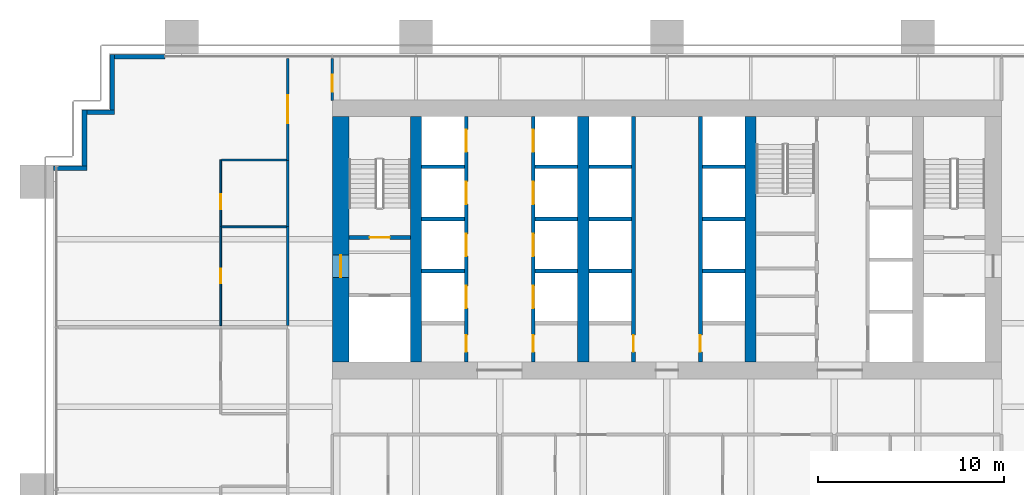
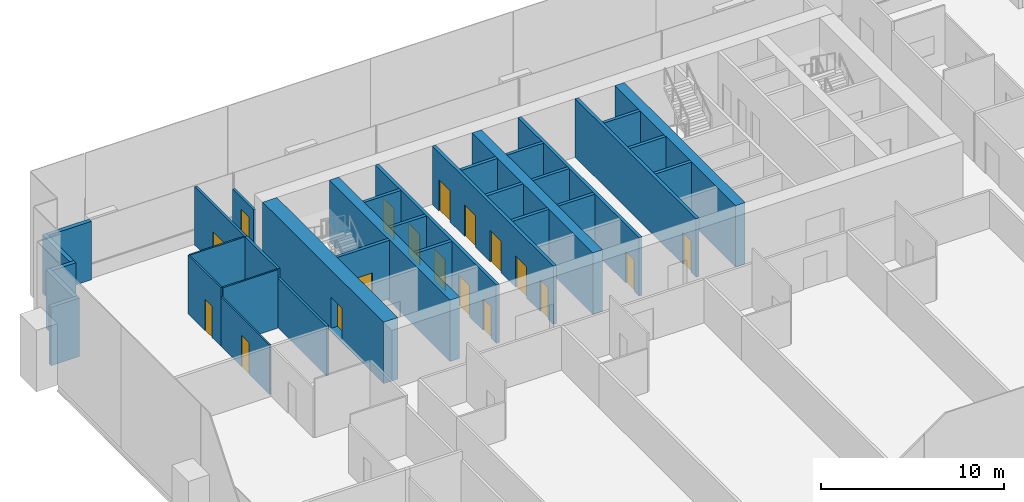
# One storey, part 13 of 18: 34 walls, 18 doors, 18 openings.
"""IFC4 building model written with IfcOpenShell, lengths in metres."""

from ifc_helpers import new_model, si_unit, direction, frame, frame_2d, origin, place, context, subcontext, project, spatial, rectangle, extrude, material, layer, layer_set, type_object, element, fill, save


model = new_model("IFC4")

# Units and contexts
model_context = context("Model", 3, precision=1e-05, world=origin(), true_north=direction((0.0, 1.0)))
body_context = subcontext(model_context, "Body", "Model", "MODEL_VIEW")
ifc_project = project(units=[si_unit("LENGTHUNIT", "METRE"), si_unit("AREAUNIT", "SQUARE_METRE"), si_unit("VOLUMEUNIT", "CUBIC_METRE"), si_unit("PLANEANGLEUNIT", "RADIAN"), si_unit("MASSUNIT", "GRAM", prefix="KILO")], contexts=[model_context])

# Site, building, storey
site_placement = place(None, origin())
site = spatial("IfcSite", under=ifc_project, at=site_placement, CompositionType="ELEMENT")
building_placement = place(site_placement, origin())
building = spatial("IfcBuilding", under=site, at=building_placement, Name="Rattan Terrace Tower", CompositionType="ELEMENT")
storey_placement = place(building_placement, frame((0.0, 0.0, 57.0)))
storey = spatial("IfcBuildingStorey", under=building, at=storey_placement, Name="L12", CompositionType="ELEMENT", Elevation=57.0)

# Wall, opening, door
ifc_material_1 = material(Name="Gypsum board partition")
ifc_layer_1 = layer(ifc_material_1, 0.199951171875)
ifc_layer_set_1 = layer_set([ifc_layer_1], Name="Core partition 200")
wall_type_1 = type_object("IfcWallType", Name="Core partition 200", PredefinedType="PARTITIONING", material=ifc_layer_set_1)
wall_1_placement = place(storey_placement, frame((-17.10009765625, 0.10009765625, 0.0), z_axis=(0.0, 0.0, 1.0), x_axis=(1.0, 0.0, 0.0)))
wall_1 = element("IfcWall", 1, at=wall_1_placement, inside=storey, type_object=wall_type_1, Name="Stair enclosure wall", PredefinedType="PARTITIONING", context=body_context, shape_type="SweptSolid", body=[
    extrude(rectangle(XDim=3.300048828125, YDim=0.199951171875, at=frame_2d((1.64990234375, 0.0))), origin(), (0.0, 0.0, 1.0), 3.89990234375),
])
opening_1_placement = place(wall_1_placement, frame((1.10009765625, 0.0, 0.0)))
opening_1 = element("IfcOpeningElement", 2, at=opening_1_placement, cuts=wall_1, Name="Opening L12-D002", PredefinedType="OPENING", context=body_context, shape_type="SweptSolid", body=[
    extrude(rectangle(XDim=1.10009765625, YDim=2.10009765625, at=frame_2d((0.550048828125, 1.050048828125))), frame((0.0, 0.110595703125, 0.0), z_axis=(0.0, -1.0, 0.0), x_axis=(1.0, 0.0, 0.0)), (0.0, 0.0, 1.0), 0.220947265625),
])
ifc_material_2 = material(Name="Hollow-metal fire door leaf")
door_type_1 = type_object("IfcDoorType", Name="Core stair door 1100", OperationType="NOTDEFINED", PredefinedType="DOOR", material=ifc_material_2)
door_1_placement = place(opening_1_placement, origin())
door_1 = element("IfcDoor", 3, at=door_1_placement, inside=storey, type_object=door_type_1, Name="Door L12-D002", OperationType="SINGLE_SWING_RIGHT", OverallHeight=2.10009765625, OverallWidth=1.10009765625, PredefinedType="DOOR", context=body_context, shape_type="SweptSolid", body=[
    extrude(rectangle(XDim=1.10009765625, YDim=2.10009765625, at=frame_2d((0.550048828125, 1.050048828125))), frame((0.0, 0.02490234375, 0.0), z_axis=(0.0, -1.0, 0.0), x_axis=(1.0, 0.0, 0.0)), (0.0, 0.0, 1.0), 0.050048828125),
])
fill(opening_1, door_1)

ifc_material_3 = material(Name="Concrete C70/85", Category="concrete")
ifc_layer_2 = layer(ifc_material_3, 0.89990234375)
ifc_layer_set_2 = layer_set([ifc_layer_2], Name="Core ring wall 900 C70/85")
wall_type_2 = type_object("IfcWallType", Name="Core ring wall 900 C70/85", PredefinedType="SHEAR", material=ifc_layer_set_2)
wall_2_placement = place(storey_placement, frame((-17.550048828125, -6.60009765625, -0.199951171875), z_axis=(0.0, 0.0, 1.0), x_axis=(0.0, 1.0, 0.0)))
wall_2 = element("IfcWall", 4, at=wall_2_placement, inside=storey, type_object=wall_type_2, Name="Rear core wall west", PredefinedType="SHEAR", context=body_context, shape_type="SweptSolid", body=[
    extrude(rectangle(XDim=13.2001953125, YDim=0.89990234375, at=frame_2d((6.60009765625, 0.0))), origin(), (0.0, 0.0, 1.0), 4.099853515625),
])
opening_2_placement = place(wall_2_placement, frame((4.550048828125, 0.0, 0.199951171875)))
opening_2 = element("IfcOpeningElement", 5, at=opening_2_placement, cuts=wall_2, Name="Opening L12-D001", PredefinedType="OPENING", context=body_context, shape_type="SweptSolid", body=[
    extrude(rectangle(XDim=1.199951171875, YDim=2.10009765625, at=frame_2d((0.60009765625, 1.050048828125))), frame((0.0, 0.46044921875, 0.0), z_axis=(0.0, -1.0, 0.0), x_axis=(1.0, 0.0, 0.0)), (0.0, 0.0, 1.0), 0.9208984375),
])
ifc_material_4 = material(Name="Hollow-metal fire door leaf")
door_type_2 = type_object("IfcDoorType", Name="Core fire-fighting lobby door 1200", OperationType="NOTDEFINED", PredefinedType="DOOR", material=ifc_material_4)
door_2_placement = place(opening_2_placement, origin())
door_2 = element("IfcDoor", 6, at=door_2_placement, inside=storey, type_object=door_type_2, Name="Door L12-D001", OperationType="SINGLE_SWING_LEFT", OverallHeight=2.10009765625, OverallWidth=1.199951171875, PredefinedType="DOOR", context=body_context, shape_type="SweptSolid", body=[
    extrude(rectangle(XDim=1.199951171875, YDim=2.10009765625, at=frame_2d((0.60009765625, 1.050048828125))), frame((0.0, 0.02490234375, 0.0), z_axis=(0.0, -1.0, 0.0), x_axis=(1.0, 0.0, 0.0)), (0.0, 0.0, 1.0), 0.050048828125),
])
fill(opening_2, door_2)

# Walls
ifc_material_5 = material(Name="Concrete C70/85", Category="concrete")
ifc_layer_3 = layer(ifc_material_5, 0.60009765625)
ifc_layer_set_3 = layer_set([ifc_layer_3], Name="Core spine wall 600 C70/85")
wall_type_3 = type_object("IfcWallType", Name="Core spine wall 600 C70/85", PredefinedType="SHEAR", material=ifc_layer_set_3)
for number, where, z_axis, x_axis, name in (
    (7, (-13.5, -6.60009765625, -0.199951171875), (0.0, 0.0, 1.0), (0.0, 1.0, 0.0), "Core spine wall 1"),
    (8, (-4.5, -6.60009765625, -0.199951171875), (0.0, 0.0, 1.0), (0.0, 1.0, 0.0), "Core spine wall 2"),
    (9, (4.5, -6.60009765625, -0.199951171875), (0.0, 0.0, 1.0), (0.0, 1.0, 0.0), "Core spine wall 3"),
):
    element("IfcWall", number, at=place(storey_placement, frame(where, z_axis=z_axis, x_axis=x_axis)), inside=storey, type_object=wall_type_3, Name=name, PredefinedType="SHEAR", context=body_context, shape_type="SweptSolid", body=[
        extrude(rectangle(XDim=13.2001953125, YDim=0.60009765625, at=frame_2d((6.60009765625, 0.0))), origin(), (0.0, 0.0, 1.0), 4.099853515625),
    ])
ifc_material_6 = material(Name="Insulated aluminium-clad stud wall", Category="aluminium")
ifc_layer_4 = layer(ifc_material_6, 0.25)
ifc_layer_set_4 = layer_set([ifc_layer_4], Name="Facade Riser Wall 250")
wall_type_4 = type_object("IfcWallType", Name="Facade Riser Wall 250", PredefinedType="SOLIDWALL", material=ifc_layer_set_4)
wall_3_placement = place(storey_placement, frame((-27.0, 9.830078125, 0.0), z_axis=(0.0, 0.0, 1.0), x_axis=(-1.0, 0.0, 0.0)))
element("IfcWall", 10, at=wall_3_placement, inside=storey, type_object=wall_type_4, Name="Riser wall L12-11", PredefinedType="SOLIDWALL", context=body_context, shape_type="SweptSolid", body=[
    extrude(rectangle(XDim=2.705078125, YDim=0.25, at=frame_2d((1.3525390625, 0.0))), origin(), (0.0, 0.0, 1.0), 3.89990234375),
])
wall_4_placement = place(storey_placement, frame((-29.830078125, 9.955078125, 0.0), z_axis=(0.0, 0.0, 1.0), x_axis=(0.0, -1.0, 0.0)))
element("IfcWall", 11, at=wall_4_placement, inside=storey, type_object=wall_type_4, Name="Riser wall L12-12", PredefinedType="SOLIDWALL", context=body_context, shape_type="SweptSolid", body=[
    extrude(rectangle(XDim=3.0, YDim=0.25, at=frame_2d((1.5, 0.0))), origin(), (0.0, 0.0, 1.0), 3.89990234375),
])
wall_5_placement = place(storey_placement, frame((-29.705078125, 6.830078125, 0.0), z_axis=(0.0, 0.0, 1.0), x_axis=(-1.0, 0.0, 0.0)))
element("IfcWall", 12, at=wall_5_placement, inside=storey, type_object=wall_type_4, Name="Riser wall L12-13", PredefinedType="SOLIDWALL", context=body_context, shape_type="SweptSolid", body=[
    extrude(rectangle(XDim=1.5, YDim=0.25, at=frame_2d((0.75, 0.0))), origin(), (0.0, 0.0, 1.0), 3.89990234375),
])
wall_6_placement = place(storey_placement, frame((-31.330078125, 6.955078125, 0.0), z_axis=(0.0, 0.0, 1.0), x_axis=(0.0, -1.0, 0.0)))
element("IfcWall", 13, at=wall_6_placement, inside=storey, type_object=wall_type_4, Name="Riser wall L12-14", PredefinedType="SOLIDWALL", context=body_context, shape_type="SweptSolid", body=[
    extrude(rectangle(XDim=3.0, YDim=0.25, at=frame_2d((1.5, 0.0))), origin(), (0.0, 0.0, 1.0), 3.89990234375),
])
wall_7_placement = place(storey_placement, frame((-31.205078125, 3.830078125, 0.0), z_axis=(0.0, 0.0, 1.0), x_axis=(-1.0, 0.0, 0.0)))
element("IfcWall", 14, at=wall_7_placement, inside=storey, type_object=wall_type_4, Name="Riser wall L12-15", PredefinedType="SOLIDWALL", context=body_context, shape_type="SweptSolid", body=[
    extrude(rectangle(XDim=1.7998046875, YDim=0.25, at=frame_2d((0.89990234375, 0.0))), origin(), (0.0, 0.0, 1.0), 3.89990234375),
])

# Wall, opening, door
ifc_material_7 = material(Name="Gypsum board partition on steel studs", Category="steel")
ifc_layer_5 = layer(ifc_material_7, 0.10009765625)
ifc_layer_set_5 = layer_set([ifc_layer_5], Name="Floors Partition 100")
wall_type_5 = type_object("IfcWallType", Name="Floors Partition 100", PredefinedType="PARTITIONING", material=ifc_layer_set_5)
wall_8_placement = place(storey_placement, frame((-24.0, 0.693115234375, 0.0), z_axis=(0.0, 0.0, 1.0), x_axis=(0.0, -1.0, 0.0)))
wall_8 = element("IfcWall", 15, at=wall_8_placement, inside=storey, type_object=wall_type_5, Name="pt-L12-044", PredefinedType="PARTITIONING", context=body_context, shape_type="SweptSolid", body=[
    extrude(rectangle(XDim=5.330078125, YDim=0.10009765625, at=frame_2d((2.6650390625, 0.0))), origin(), (0.0, 0.0, 1.0), 3.300048828125),
])
opening_3_placement = place(wall_8_placement, frame((2.264892578125, 0.0, 0.0)))
opening_3 = element("IfcOpeningElement", 16, at=opening_3_placement, cuts=wall_8, Name="Opening L12-D107", PredefinedType="OPENING", context=body_context, shape_type="SweptSolid", body=[
    extrude(rectangle(XDim=0.800048828125, YDim=2.10009765625, at=frame_2d((0.39990234375, 1.050048828125))), frame((0.0, 0.060546875, 0.0), z_axis=(0.0, -1.0, 0.0), x_axis=(1.0, 0.0, 0.0)), (0.0, 0.0, 1.0), 0.12109375),
])
ifc_material_8 = material(Name="Solid core timber door, painted", Category="wood")
door_type_3 = type_object("IfcDoorType", Name="Floors Store Door 800x2100", OperationType="NOTDEFINED", PredefinedType="DOOR", material=ifc_material_8)
door_3_placement = place(opening_3_placement, origin())
door_3 = element("IfcDoor", 17, at=door_3_placement, inside=storey, type_object=door_type_3, Name="d-L12-107", OperationType="SINGLE_SWING_RIGHT", OverallHeight=2.10009765625, OverallWidth=0.800048828125, PredefinedType="DOOR", context=body_context, shape_type="SweptSolid", body=[
    extrude(rectangle(XDim=0.800048828125, YDim=2.10009765625, at=frame_2d((0.39990234375, 1.050048828125))), frame((0.0, 0.02490234375, 0.0), z_axis=(0.0, -1.0, 0.0), x_axis=(1.0, 0.0, 0.0)), (0.0, 0.0, 1.0), 0.050048828125),
])
fill(opening_3, door_3)

wall_9_placement = place(storey_placement, frame((-24.0, 4.27294921875, 0.0), z_axis=(0.0, 0.0, 1.0), x_axis=(0.0, -1.0, 0.0)))
wall_9 = element("IfcWall", 18, at=wall_9_placement, inside=storey, type_object=wall_type_5, Name="pt-L12-045", PredefinedType="PARTITIONING", context=body_context, shape_type="SweptSolid", body=[
    extrude(rectangle(XDim=3.579833984375, YDim=0.10009765625, at=frame_2d((1.7900390625, 0.0))), origin(), (0.0, 0.0, 1.0), 3.89990234375),
])
opening_4_placement = place(wall_9_placement, frame((1.845947265625, 0.0, 0.0)))
opening_4 = element("IfcOpeningElement", 19, at=opening_4_placement, cuts=wall_9, Name="Opening L12-D108", PredefinedType="OPENING", context=body_context, shape_type="SweptSolid", body=[
    extrude(rectangle(XDim=0.800048828125, YDim=2.10009765625, at=frame_2d((0.39990234375, 1.050048828125))), frame((0.0, 0.060546875, 0.0), z_axis=(0.0, -1.0, 0.0), x_axis=(1.0, 0.0, 0.0)), (0.0, 0.0, 1.0), 0.12109375),
])
door_4_placement = place(opening_4_placement, origin())
door_4 = element("IfcDoor", 20, at=door_4_placement, inside=storey, type_object=door_type_3, Name="d-L12-108", OperationType="SINGLE_SWING_RIGHT", OverallHeight=2.10009765625, OverallWidth=0.800048828125, PredefinedType="DOOR", context=body_context, shape_type="SweptSolid", body=[
    extrude(rectangle(XDim=0.800048828125, YDim=2.10009765625, at=frame_2d((0.39990234375, 1.050048828125))), frame((0.0, 0.02490234375, 0.0), z_axis=(0.0, -1.0, 0.0), x_axis=(1.0, 0.0, 0.0)), (0.0, 0.0, 1.0), 0.050048828125),
])
fill(opening_4, door_4)

# Walls
for number, where, z_axis, x_axis, name in (
    (21, (-20.47509765625, 4.27294921875, 0.0), (0.0, 0.0, 1.0), (-1.0, 0.0, 0.0), "pt-L12-046"),
    (22, (-23.949951171875, 0.673095703125, 0.0), (0.0, 0.0, 1.0), (1.0, 0.0, 0.0), "pt-L12-047"),
):
    element("IfcWall", number, at=place(storey_placement, frame(where, z_axis=z_axis, x_axis=x_axis)), inside=storey, type_object=wall_type_5, Name=name, PredefinedType="PARTITIONING", context=body_context, shape_type="SweptSolid", body=[
        extrude(rectangle(XDim=3.474853515625, YDim=0.10009765625, at=frame_2d((1.7373046875, 0.0))), origin(), (0.0, 0.0, 1.0), 3.89990234375),
    ])

# Wall, opening, door
ifc_material_9 = material(Name="Gypsum board partition on steel studs, fire rated", Category="steel")
ifc_layer_6 = layer(ifc_material_9, 0.14990234375)
ifc_layer_set_6 = layer_set([ifc_layer_6], Name="Floors Tenancy Wall 150")
wall_type_6 = type_object("IfcWallType", Name="Floors Tenancy Wall 150", PredefinedType="PARTITIONING", material=ifc_layer_set_6)
wall_10_placement = place(storey_placement, frame((-20.39990234375, 4.2529296875, 0.0), z_axis=(0.0, 0.0, 1.0), x_axis=(0.0, 1.0, 0.0)))
wall_10 = element("IfcWall", 23, at=wall_10_placement, inside=storey, type_object=wall_type_6, Name="pt-L12-007", PredefinedType="PARTITIONING", context=body_context, shape_type="SweptSolid", body=[
    extrude(rectangle(XDim=5.487060546875, YDim=0.14990234375, at=frame_2d((2.74365234375, 0.0))), origin(), (0.0, 0.0, 1.0), 3.89990234375),
])
opening_5_placement = place(wall_10_placement, frame((1.993896484375, 0.0, 0.0)))
opening_5 = element("IfcOpeningElement", 24, at=opening_5_placement, cuts=wall_10, Name="Opening L12-D106", PredefinedType="OPENING", context=body_context, shape_type="SweptSolid", body=[
    extrude(rectangle(XDim=1.5, YDim=2.10009765625, at=frame_2d((0.75, 1.050048828125))), frame((0.0, 0.08544921875, 0.0), z_axis=(0.0, -1.0, 0.0), x_axis=(1.0, 0.0, 0.0)), (0.0, 0.0, 1.0), 0.1708984375),
])
ifc_material_10 = material(Name="Steel fire door set", Category="steel")
door_type_4 = type_object("IfcDoorType", Name="Floors Unit Door Pair FD30S 1500x2100", OperationType="NOTDEFINED", PredefinedType="DOOR", material=ifc_material_10)
door_5_placement = place(opening_5_placement, origin())
door_5 = element("IfcDoor", 25, at=door_5_placement, inside=storey, type_object=door_type_4, Name="d-L12-106", OperationType="DOUBLE_DOOR_SINGLE_SWING", OverallHeight=2.10009765625, OverallWidth=1.5, PredefinedType="DOOR", context=body_context, shape_type="SweptSolid", body=[
    extrude(rectangle(XDim=1.5, YDim=2.10009765625, at=frame_2d((0.75, 1.050048828125))), frame((0.0, 0.02490234375, 0.0), z_axis=(0.0, -1.0, 0.0), x_axis=(1.0, 0.0, 0.0)), (0.0, 0.0, 1.0), 0.050048828125),
])
fill(opening_5, door_5)

# Walls
wall_11_placement = place(storey_placement, frame((-20.39990234375, -4.636962890625, 0.0), z_axis=(0.0, 0.0, 1.0), x_axis=(0.0, 1.0, 0.0)))
element("IfcWall", 26, at=wall_11_placement, inside=storey, type_object=wall_type_6, Name="pt-L12-008", PredefinedType="PARTITIONING", context=body_context, shape_type="SweptSolid", body=[
    extrude(rectangle(XDim=5.330078125, YDim=0.14990234375, at=frame_2d((2.6650390625, 0.0))), origin(), (0.0, 0.0, 1.0), 3.300048828125),
])
wall_12_placement = place(storey_placement, frame((-20.39990234375, 0.693115234375, 0.0), z_axis=(0.0, 0.0, 1.0), x_axis=(0.0, 1.0, 0.0)))
element("IfcWall", 27, at=wall_12_placement, inside=storey, type_object=wall_type_6, Name="pt-L12-009", PredefinedType="PARTITIONING", context=body_context, shape_type="SweptSolid", body=[
    extrude(rectangle(XDim=3.559814453125, YDim=0.14990234375, at=frame_2d((1.77978515625, 0.0))), origin(), (0.0, 0.0, 1.0), 3.89990234375),
])

# Wall, opening, door
wall_13_placement = place(storey_placement, frame((-18.0, 9.739990234375, 0.0), z_axis=(0.0, 0.0, 1.0), x_axis=(0.0, -1.0, 0.0)))
wall_13 = element("IfcWall", 28, at=wall_13_placement, inside=storey, type_object=wall_type_6, Name="pt-L12-018", PredefinedType="PARTITIONING", context=body_context, shape_type="SweptSolid", body=[
    extrude(rectangle(XDim=2.260009765625, YDim=0.14990234375, at=frame_2d((1.1298828125, 0.0))), origin(), (0.0, 0.0, 1.0), 2.89990234375),
])
opening_6_placement = place(wall_13_placement, frame((0.89501953125, 0.0, 0.0)))
opening_6 = element("IfcOpeningElement", 29, at=opening_6_placement, cuts=wall_13, Name="Opening L12-D117", PredefinedType="OPENING", context=body_context, shape_type="SweptSolid", body=[
    extrude(rectangle(XDim=0.89990234375, YDim=2.10009765625, at=frame_2d((0.449951171875, 1.050048828125))), frame((0.0, 0.08544921875, 0.0), z_axis=(0.0, -1.0, 0.0), x_axis=(1.0, 0.0, 0.0)), (0.0, 0.0, 1.0), 0.1708984375),
])
ifc_material_11 = material(Name="Steel fire door set", Category="steel")
door_type_5 = type_object("IfcDoorType", Name="Floors Fire Door FD30S 900x2100", OperationType="NOTDEFINED", PredefinedType="DOOR", material=ifc_material_11)
door_6_placement = place(opening_6_placement, origin())
door_6 = element("IfcDoor", 30, at=door_6_placement, inside=storey, type_object=door_type_5, Name="d-L12-117", OperationType="SINGLE_SWING_RIGHT", OverallHeight=2.10009765625, OverallWidth=0.89990234375, PredefinedType="DOOR", context=body_context, shape_type="SweptSolid", body=[
    extrude(rectangle(XDim=0.89990234375, YDim=2.10009765625, at=frame_2d((0.449951171875, 1.050048828125))), frame((0.0, 0.02490234375, 0.0), z_axis=(0.0, -1.0, 0.0), x_axis=(1.0, 0.0, 0.0)), (0.0, 0.0, 1.0), 0.050048828125),
])
fill(opening_6, door_6)

# Wall, openings, doors
ifc_material_12 = material(Name="Gypsum shaft wall system")
ifc_layer_7 = layer(ifc_material_12, 0.199951171875)
ifc_layer_set_7 = layer_set([ifc_layer_7], Name="Lift shaft wall 200")
wall_type_7 = type_object("IfcWallType", Name="Lift shaft wall 200", PredefinedType="PARTITIONING", material=ifc_layer_set_7)
wall_14_placement = place(storey_placement, frame((-10.800048828125, -6.60009765625, 0.0), z_axis=(0.0, 0.0, 1.0), x_axis=(0.0, 1.0, 0.0)))
wall_14 = element("IfcWall", 31, at=wall_14_placement, inside=storey, type_object=wall_type_7, Name="Lift shaft front wall", PredefinedType="PARTITIONING", context=body_context, shape_type="SweptSolid", body=[
    extrude(rectangle(XDim=13.2001953125, YDim=0.199951171875, at=frame_2d((6.60009765625, 0.0))), origin(), (0.0, 0.0, 1.0), 3.89990234375),
])
opening_7_placement = place(wall_14_placement, frame((0.550048828125, 0.0, 0.0)))
opening_7 = element("IfcOpeningElement", 32, at=opening_7_placement, cuts=wall_14, Name="Opening L12-D005", PredefinedType="OPENING", context=body_context, shape_type="SweptSolid", body=[
    extrude(rectangle(XDim=0.89990234375, YDim=2.10009765625, at=frame_2d((0.449951171875, 1.050048828125))), frame((0.0, 0.110595703125, 0.0), z_axis=(0.0, -1.0, 0.0), x_axis=(1.0, 0.0, 0.0)), (0.0, 0.0, 1.0), 0.220947265625),
])
opening_8_placement = place(wall_14_placement, frame((2.89990234375, 0.0, 0.0)))
opening_8 = element("IfcOpeningElement", 33, at=opening_8_placement, cuts=wall_14, Name="Opening L12-LD-LR1", PredefinedType="OPENING", context=body_context, shape_type="SweptSolid", body=[
    extrude(rectangle(XDim=1.199951171875, YDim=2.10009765625, at=frame_2d((0.60009765625, 1.050048828125))), frame((0.0, 0.110595703125, 0.0), z_axis=(0.0, -1.0, 0.0), x_axis=(1.0, 0.0, 0.0)), (0.0, 0.0, 1.0), 0.220947265625),
])
opening_9_placement = place(wall_14_placement, frame((5.699951171875, 0.0, 0.0)))
opening_9 = element("IfcOpeningElement", 34, at=opening_9_placement, cuts=wall_14, Name="Opening L12-LD-LR2", PredefinedType="OPENING", context=body_context, shape_type="SweptSolid", body=[
    extrude(rectangle(XDim=1.199951171875, YDim=2.10009765625, at=frame_2d((0.60009765625, 1.050048828125))), frame((0.0, 0.110595703125, 0.0), z_axis=(0.0, -1.0, 0.0), x_axis=(1.0, 0.0, 0.0)), (0.0, 0.0, 1.0), 0.220947265625),
])
opening_10_placement = place(wall_14_placement, frame((8.5, 0.0, 0.0)))
opening_10 = element("IfcOpeningElement", 35, at=opening_10_placement, cuts=wall_14, Name="Opening L12-LD-LR3", PredefinedType="OPENING", context=body_context, shape_type="SweptSolid", body=[
    extrude(rectangle(XDim=1.199951171875, YDim=2.10009765625, at=frame_2d((0.60009765625, 1.050048828125))), frame((0.0, 0.110595703125, 0.0), z_axis=(0.0, -1.0, 0.0), x_axis=(1.0, 0.0, 0.0)), (0.0, 0.0, 1.0), 0.220947265625),
])
opening_11_placement = place(wall_14_placement, frame((11.300048828125, 0.0, 0.0)))
opening_11 = element("IfcOpeningElement", 36, at=opening_11_placement, cuts=wall_14, Name="Opening L12-LD-LR4", PredefinedType="OPENING", context=body_context, shape_type="SweptSolid", body=[
    extrude(rectangle(XDim=1.199951171875, YDim=2.10009765625, at=frame_2d((0.60009765625, 1.050048828125))), frame((0.0, 0.110595703125, 0.0), z_axis=(0.0, -1.0, 0.0), x_axis=(1.0, 0.0, 0.0)), (0.0, 0.0, 1.0), 0.220947265625),
])
ifc_material_13 = material(Name="Brushed stainless landing door panel")
door_type_6 = type_object("IfcDoorType", Name="Core lift landing door 1200", OperationType="DOUBLE_DOOR_SLIDING", PredefinedType="DOOR", material=ifc_material_13)
door_7_placement = place(opening_8_placement, origin())
door_7 = element("IfcDoor", 37, at=door_7_placement, inside=storey, type_object=door_type_6, Name="Door L12-LD-LR1", OperationType="DOUBLE_DOOR_SLIDING", OverallHeight=2.10009765625, OverallWidth=1.199951171875, PredefinedType="DOOR", context=body_context, shape_type="SweptSolid", body=[
    extrude(rectangle(XDim=1.199951171875, YDim=2.10009765625, at=frame_2d((0.60009765625, 1.050048828125))), frame((0.0, 0.02490234375, 0.0), z_axis=(0.0, -1.0, 0.0), x_axis=(1.0, 0.0, 0.0)), (0.0, 0.0, 1.0), 0.050048828125),
])
fill(opening_8, door_7)
door_8_placement = place(opening_9_placement, origin())
door_8 = element("IfcDoor", 38, at=door_8_placement, inside=storey, type_object=door_type_6, Name="Door L12-LD-LR2", OperationType="DOUBLE_DOOR_SLIDING", OverallHeight=2.10009765625, OverallWidth=1.199951171875, PredefinedType="DOOR", context=body_context, shape_type="SweptSolid", body=[
    extrude(rectangle(XDim=1.199951171875, YDim=2.10009765625, at=frame_2d((0.60009765625, 1.050048828125))), frame((0.0, 0.02490234375, 0.0), z_axis=(0.0, -1.0, 0.0), x_axis=(1.0, 0.0, 0.0)), (0.0, 0.0, 1.0), 0.050048828125),
])
fill(opening_9, door_8)
door_9_placement = place(opening_10_placement, origin())
door_9 = element("IfcDoor", 39, at=door_9_placement, inside=storey, type_object=door_type_6, Name="Door L12-LD-LR3", OperationType="DOUBLE_DOOR_SLIDING", OverallHeight=2.10009765625, OverallWidth=1.199951171875, PredefinedType="DOOR", context=body_context, shape_type="SweptSolid", body=[
    extrude(rectangle(XDim=1.199951171875, YDim=2.10009765625, at=frame_2d((0.60009765625, 1.050048828125))), frame((0.0, 0.02490234375, 0.0), z_axis=(0.0, -1.0, 0.0), x_axis=(1.0, 0.0, 0.0)), (0.0, 0.0, 1.0), 0.050048828125),
])
fill(opening_10, door_9)
door_10_placement = place(opening_11_placement, origin())
door_10 = element("IfcDoor", 40, at=door_10_placement, inside=storey, type_object=door_type_6, Name="Door L12-LD-LR4", OperationType="DOUBLE_DOOR_SLIDING", OverallHeight=2.10009765625, OverallWidth=1.199951171875, PredefinedType="DOOR", context=body_context, shape_type="SweptSolid", body=[
    extrude(rectangle(XDim=1.199951171875, YDim=2.10009765625, at=frame_2d((0.60009765625, 1.050048828125))), frame((0.0, 0.02490234375, 0.0), z_axis=(0.0, -1.0, 0.0), x_axis=(1.0, 0.0, 0.0)), (0.0, 0.0, 1.0), 0.050048828125),
])
fill(opening_11, door_10)
ifc_material_14 = material(Name="Hollow-metal fire door leaf")
door_type_7 = type_object("IfcDoorType", Name="Core riser door 900", OperationType="NOTDEFINED", PredefinedType="DOOR", material=ifc_material_14)
door_11_placement = place(opening_7_placement, origin())
door_11 = element("IfcDoor", 41, at=door_11_placement, inside=storey, type_object=door_type_7, Name="Door L12-D005", OperationType="SINGLE_SWING_LEFT", OverallHeight=2.10009765625, OverallWidth=0.89990234375, PredefinedType="DOOR", context=body_context, shape_type="SweptSolid", body=[
    extrude(rectangle(XDim=0.89990234375, YDim=2.10009765625, at=frame_2d((0.449951171875, 1.050048828125))), frame((0.0, 0.02490234375, 0.0), z_axis=(0.0, -1.0, 0.0), x_axis=(1.0, 0.0, 0.0)), (0.0, 0.0, 1.0), 0.050048828125),
])
fill(opening_7, door_11)

wall_15_placement = place(storey_placement, frame((-7.199951171875, -6.60009765625, 0.0), z_axis=(0.0, 0.0, 1.0), x_axis=(0.0, 1.0, 0.0)))
wall_15 = element("IfcWall", 42, at=wall_15_placement, inside=storey, type_object=wall_type_7, Name="Lift shaft front wall", PredefinedType="PARTITIONING", context=body_context, shape_type="SweptSolid", body=[
    extrude(rectangle(XDim=13.2001953125, YDim=0.199951171875, at=frame_2d((6.60009765625, 0.0))), origin(), (0.0, 0.0, 1.0), 3.89990234375),
])
opening_12_placement = place(wall_15_placement, frame((0.550048828125, 0.0, 0.0)))
opening_12 = element("IfcOpeningElement", 43, at=opening_12_placement, cuts=wall_15, Name="Opening L12-D006", PredefinedType="OPENING", context=body_context, shape_type="SweptSolid", body=[
    extrude(rectangle(XDim=0.89990234375, YDim=2.10009765625, at=frame_2d((0.449951171875, 1.050048828125))), frame((0.0, 0.110595703125, 0.0), z_axis=(0.0, -1.0, 0.0), x_axis=(1.0, 0.0, 0.0)), (0.0, 0.0, 1.0), 0.220947265625),
])
opening_13_placement = place(wall_15_placement, frame((2.89990234375, 0.0, 0.0)))
opening_13 = element("IfcOpeningElement", 44, at=opening_13_placement, cuts=wall_15, Name="Opening L12-LD-LR5", PredefinedType="OPENING", context=body_context, shape_type="SweptSolid", body=[
    extrude(rectangle(XDim=1.199951171875, YDim=2.10009765625, at=frame_2d((0.60009765625, 1.050048828125))), frame((0.0, 0.110595703125, 0.0), z_axis=(0.0, -1.0, 0.0), x_axis=(1.0, 0.0, 0.0)), (0.0, 0.0, 1.0), 0.220947265625),
])
opening_14_placement = place(wall_15_placement, frame((5.699951171875, 0.0, 0.0)))
opening_14 = element("IfcOpeningElement", 45, at=opening_14_placement, cuts=wall_15, Name="Opening L12-LD-LR6", PredefinedType="OPENING", context=body_context, shape_type="SweptSolid", body=[
    extrude(rectangle(XDim=1.199951171875, YDim=2.10009765625, at=frame_2d((0.60009765625, 1.050048828125))), frame((0.0, 0.110595703125, 0.0), z_axis=(0.0, -1.0, 0.0), x_axis=(1.0, 0.0, 0.0)), (0.0, 0.0, 1.0), 0.220947265625),
])
opening_15_placement = place(wall_15_placement, frame((8.5, 0.0, 0.0)))
opening_15 = element("IfcOpeningElement", 46, at=opening_15_placement, cuts=wall_15, Name="Opening L12-LD-LR7", PredefinedType="OPENING", context=body_context, shape_type="SweptSolid", body=[
    extrude(rectangle(XDim=1.199951171875, YDim=2.10009765625, at=frame_2d((0.60009765625, 1.050048828125))), frame((0.0, 0.110595703125, 0.0), z_axis=(0.0, -1.0, 0.0), x_axis=(1.0, 0.0, 0.0)), (0.0, 0.0, 1.0), 0.220947265625),
])
opening_16_placement = place(wall_15_placement, frame((11.300048828125, 0.0, 0.0)))
opening_16 = element("IfcOpeningElement", 47, at=opening_16_placement, cuts=wall_15, Name="Opening L12-LD-LR8", PredefinedType="OPENING", context=body_context, shape_type="SweptSolid", body=[
    extrude(rectangle(XDim=1.199951171875, YDim=2.10009765625, at=frame_2d((0.60009765625, 1.050048828125))), frame((0.0, 0.110595703125, 0.0), z_axis=(0.0, -1.0, 0.0), x_axis=(1.0, 0.0, 0.0)), (0.0, 0.0, 1.0), 0.220947265625),
])
door_12_placement = place(opening_13_placement, origin())
door_12 = element("IfcDoor", 48, at=door_12_placement, inside=storey, type_object=door_type_6, Name="Door L12-LD-LR5", OperationType="DOUBLE_DOOR_SLIDING", OverallHeight=2.10009765625, OverallWidth=1.199951171875, PredefinedType="DOOR", context=body_context, shape_type="SweptSolid", body=[
    extrude(rectangle(XDim=1.199951171875, YDim=2.10009765625, at=frame_2d((0.60009765625, 1.050048828125))), frame((0.0, 0.02490234375, 0.0), z_axis=(0.0, -1.0, 0.0), x_axis=(1.0, 0.0, 0.0)), (0.0, 0.0, 1.0), 0.050048828125),
])
fill(opening_13, door_12)
door_13_placement = place(opening_14_placement, origin())
door_13 = element("IfcDoor", 49, at=door_13_placement, inside=storey, type_object=door_type_6, Name="Door L12-LD-LR6", OperationType="DOUBLE_DOOR_SLIDING", OverallHeight=2.10009765625, OverallWidth=1.199951171875, PredefinedType="DOOR", context=body_context, shape_type="SweptSolid", body=[
    extrude(rectangle(XDim=1.199951171875, YDim=2.10009765625, at=frame_2d((0.60009765625, 1.050048828125))), frame((0.0, 0.02490234375, 0.0), z_axis=(0.0, -1.0, 0.0), x_axis=(1.0, 0.0, 0.0)), (0.0, 0.0, 1.0), 0.050048828125),
])
fill(opening_14, door_13)
door_14_placement = place(opening_15_placement, origin())
door_14 = element("IfcDoor", 50, at=door_14_placement, inside=storey, type_object=door_type_6, Name="Door L12-LD-LR7", OperationType="DOUBLE_DOOR_SLIDING", OverallHeight=2.10009765625, OverallWidth=1.199951171875, PredefinedType="DOOR", context=body_context, shape_type="SweptSolid", body=[
    extrude(rectangle(XDim=1.199951171875, YDim=2.10009765625, at=frame_2d((0.60009765625, 1.050048828125))), frame((0.0, 0.02490234375, 0.0), z_axis=(0.0, -1.0, 0.0), x_axis=(1.0, 0.0, 0.0)), (0.0, 0.0, 1.0), 0.050048828125),
])
fill(opening_15, door_14)
door_15_placement = place(opening_16_placement, origin())
door_15 = element("IfcDoor", 51, at=door_15_placement, inside=storey, type_object=door_type_6, Name="Door L12-LD-LR8", OperationType="DOUBLE_DOOR_SLIDING", OverallHeight=2.10009765625, OverallWidth=1.199951171875, PredefinedType="DOOR", context=body_context, shape_type="SweptSolid", body=[
    extrude(rectangle(XDim=1.199951171875, YDim=2.10009765625, at=frame_2d((0.60009765625, 1.050048828125))), frame((0.0, 0.02490234375, 0.0), z_axis=(0.0, -1.0, 0.0), x_axis=(1.0, 0.0, 0.0)), (0.0, 0.0, 1.0), 0.050048828125),
])
fill(opening_16, door_15)
door_16_placement = place(opening_12_placement, origin())
door_16 = element("IfcDoor", 52, at=door_16_placement, inside=storey, type_object=door_type_7, Name="Door L12-D006", OperationType="SINGLE_SWING_RIGHT", OverallHeight=2.10009765625, OverallWidth=0.89990234375, PredefinedType="DOOR", context=body_context, shape_type="SweptSolid", body=[
    extrude(rectangle(XDim=0.89990234375, YDim=2.10009765625, at=frame_2d((0.449951171875, 1.050048828125))), frame((0.0, 0.02490234375, 0.0), z_axis=(0.0, -1.0, 0.0), x_axis=(1.0, 0.0, 0.0)), (0.0, 0.0, 1.0), 0.050048828125),
])
fill(opening_12, door_16)

# Walls
for number, where, z_axis, x_axis, name in (
    (53, (-13.199951171875, -1.699951171875, 0.0), (0.0, 0.0, 1.0), (1.0, 0.0, 0.0), "Lift shaft wall"),
    (54, (-13.199951171875, 1.10009765625, 0.0), (0.0, 0.0, 1.0), (1.0, 0.0, 0.0), "Lift shaft wall"),
    (55, (-13.199951171875, 3.89990234375, 0.0), (0.0, 0.0, 1.0), (1.0, 0.0, 0.0), "Lift shaft wall"),
    (56, (-7.10009765625, -1.699951171875, 0.0), (0.0, 0.0, 1.0), (1.0, 0.0, 0.0), "Lift shaft wall"),
    (57, (-7.10009765625, 1.10009765625, 0.0), (0.0, 0.0, 1.0), (1.0, 0.0, 0.0), "Lift shaft wall"),
    (58, (-7.10009765625, 3.89990234375, 0.0), (0.0, 0.0, 1.0), (1.0, 0.0, 0.0), "Lift shaft wall"),
):
    element("IfcWall", number, at=place(storey_placement, frame(where, z_axis=z_axis, x_axis=x_axis)), inside=storey, type_object=wall_type_7, Name=name, PredefinedType="PARTITIONING", context=body_context, shape_type="SweptSolid", body=[
        extrude(rectangle(XDim=2.300048828125, YDim=0.199951171875, at=frame_2d((1.14990234375, 0.0))), origin(), (0.0, 0.0, 1.0), 3.89990234375),
    ])

# Wall, opening, door
wall_16_placement = place(storey_placement, frame((-1.800048828125, -6.60009765625, 0.0), z_axis=(0.0, 0.0, 1.0), x_axis=(0.0, 1.0, 0.0)))
wall_16 = element("IfcWall", 59, at=wall_16_placement, inside=storey, type_object=wall_type_7, Name="Lift shaft front wall", PredefinedType="PARTITIONING", context=body_context, shape_type="SweptSolid", body=[
    extrude(rectangle(XDim=13.2001953125, YDim=0.199951171875, at=frame_2d((6.60009765625, 0.0))), origin(), (0.0, 0.0, 1.0), 3.89990234375),
])
opening_17_placement = place(wall_16_placement, frame((0.550048828125, 0.0, 0.0)))
opening_17 = element("IfcOpeningElement", 60, at=opening_17_placement, cuts=wall_16, Name="Opening L12-D008", PredefinedType="OPENING", context=body_context, shape_type="SweptSolid", body=[
    extrude(rectangle(XDim=0.89990234375, YDim=2.10009765625, at=frame_2d((0.449951171875, 1.050048828125))), frame((0.0, 0.110595703125, 0.0), z_axis=(0.0, -1.0, 0.0), x_axis=(1.0, 0.0, 0.0)), (0.0, 0.0, 1.0), 0.220947265625),
])
door_17_placement = place(opening_17_placement, origin())
door_17 = element("IfcDoor", 61, at=door_17_placement, inside=storey, type_object=door_type_7, Name="Door L12-D008", OperationType="SINGLE_SWING_LEFT", OverallHeight=2.10009765625, OverallWidth=0.89990234375, PredefinedType="DOOR", context=body_context, shape_type="SweptSolid", body=[
    extrude(rectangle(XDim=0.89990234375, YDim=2.10009765625, at=frame_2d((0.449951171875, 1.050048828125))), frame((0.0, 0.02490234375, 0.0), z_axis=(0.0, -1.0, 0.0), x_axis=(1.0, 0.0, 0.0)), (0.0, 0.0, 1.0), 0.050048828125),
])
fill(opening_17, door_17)

wall_17_placement = place(storey_placement, frame((1.800048828125, -6.60009765625, 0.0), z_axis=(0.0, 0.0, 1.0), x_axis=(0.0, 1.0, 0.0)))
wall_17 = element("IfcWall", 62, at=wall_17_placement, inside=storey, type_object=wall_type_7, Name="Lift shaft front wall", PredefinedType="PARTITIONING", context=body_context, shape_type="SweptSolid", body=[
    extrude(rectangle(XDim=13.2001953125, YDim=0.199951171875, at=frame_2d((6.60009765625, 0.0))), origin(), (0.0, 0.0, 1.0), 3.89990234375),
])
opening_18_placement = place(wall_17_placement, frame((0.550048828125, 0.0, 0.0)))
opening_18 = element("IfcOpeningElement", 63, at=opening_18_placement, cuts=wall_17, Name="Opening L12-D009", PredefinedType="OPENING", context=body_context, shape_type="SweptSolid", body=[
    extrude(rectangle(XDim=0.89990234375, YDim=2.10009765625, at=frame_2d((0.449951171875, 1.050048828125))), frame((0.0, 0.110595703125, 0.0), z_axis=(0.0, -1.0, 0.0), x_axis=(1.0, 0.0, 0.0)), (0.0, 0.0, 1.0), 0.220947265625),
])
door_18_placement = place(opening_18_placement, origin())
door_18 = element("IfcDoor", 64, at=door_18_placement, inside=storey, type_object=door_type_7, Name="Door L12-D009", OperationType="SINGLE_SWING_RIGHT", OverallHeight=2.10009765625, OverallWidth=0.89990234375, PredefinedType="DOOR", context=body_context, shape_type="SweptSolid", body=[
    extrude(rectangle(XDim=0.89990234375, YDim=2.10009765625, at=frame_2d((0.449951171875, 1.050048828125))), frame((0.0, 0.02490234375, 0.0), z_axis=(0.0, -1.0, 0.0), x_axis=(1.0, 0.0, 0.0)), (0.0, 0.0, 1.0), 0.050048828125),
])
fill(opening_18, door_18)

# Walls
for number, where, z_axis, x_axis, name in (
    (65, (-4.199951171875, -1.699951171875, 0.0), (0.0, 0.0, 1.0), (1.0, 0.0, 0.0), "Lift shaft wall"),
    (66, (-4.199951171875, 1.10009765625, 0.0), (0.0, 0.0, 1.0), (1.0, 0.0, 0.0), "Lift shaft wall"),
    (67, (-4.199951171875, 3.89990234375, 0.0), (0.0, 0.0, 1.0), (1.0, 0.0, 0.0), "Lift shaft wall"),
    (68, (1.89990234375, -1.699951171875, 0.0), (0.0, 0.0, 1.0), (1.0, 0.0, 0.0), "Lift shaft wall"),
    (69, (1.89990234375, 1.10009765625, 0.0), (0.0, 0.0, 1.0), (1.0, 0.0, 0.0), "Lift shaft wall"),
    (70, (1.89990234375, 3.89990234375, 0.0), (0.0, 0.0, 1.0), (1.0, 0.0, 0.0), "Lift shaft wall"),
):
    element("IfcWall", number, at=place(storey_placement, frame(where, z_axis=z_axis, x_axis=x_axis)), inside=storey, type_object=wall_type_7, Name=name, PredefinedType="PARTITIONING", context=body_context, shape_type="SweptSolid", body=[
        extrude(rectangle(XDim=2.300048828125, YDim=0.199951171875, at=frame_2d((1.14990234375, 0.0))), origin(), (0.0, 0.0, 1.0), 3.89990234375),
    ])

save(model, "model.ifc")
